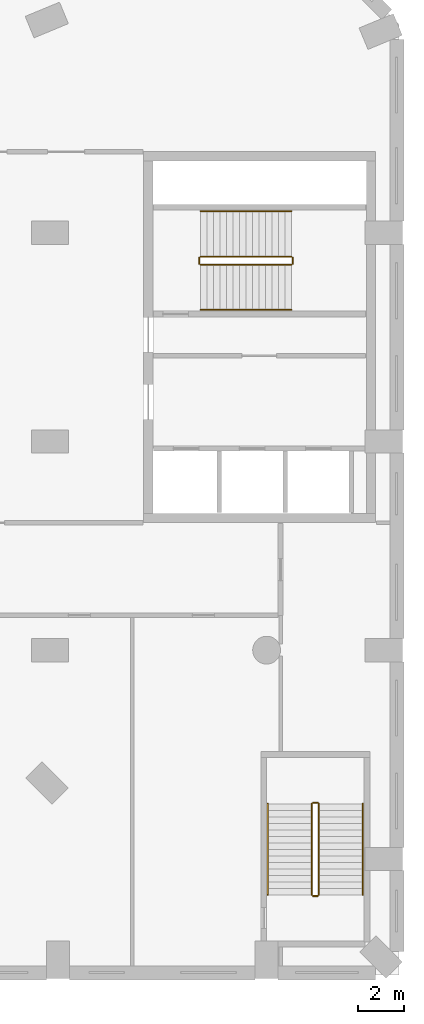
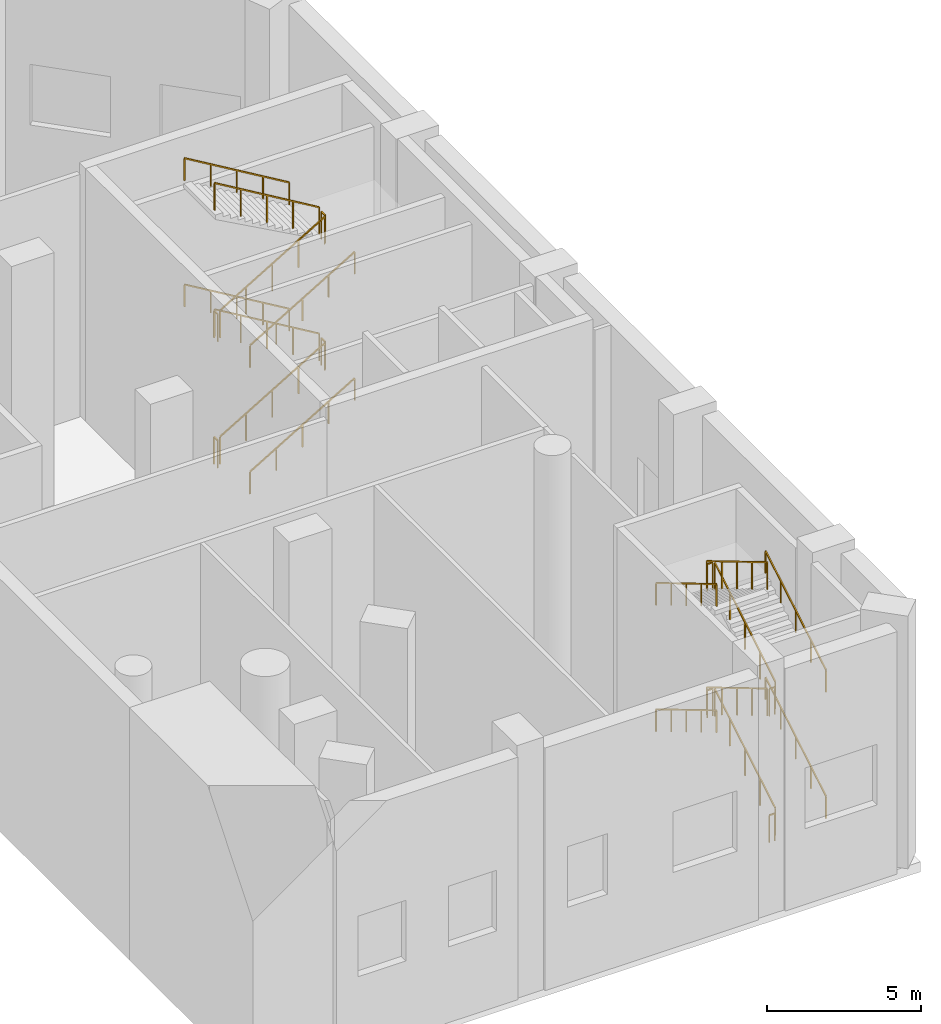
# One storey, part 17 of 17: 24 railings.
"""IFC4 building model written with IfcOpenShell, lengths in metres."""

from ifc_helpers import new_model, si_unit, direction, frame, origin, origin_2d, place, context, subcontext, project, spatial, rectangle, extrude, material, type_object, element, save


model = new_model("IFC4")

# Units and contexts
model_context = context("Model", 3, precision=1e-05, world=origin(), true_north=direction((0.0, 1.0)))
body_context = subcontext(model_context, "Body", "Model", "MODEL_VIEW")
ifc_project = project(units=[si_unit("LENGTHUNIT", "METRE"), si_unit("AREAUNIT", "SQUARE_METRE"), si_unit("VOLUMEUNIT", "CUBIC_METRE"), si_unit("PLANEANGLEUNIT", "RADIAN"), si_unit("MASSUNIT", "GRAM", prefix="KILO")], contexts=[model_context])

# Site, building, storey
site_placement = place(None, origin())
site = spatial("IfcSite", under=ifc_project, at=site_placement, CompositionType="ELEMENT")
building_placement = place(site_placement, origin())
building = spatial("IfcBuilding", under=site, at=building_placement, Name="Cypress Arch Tower", CompositionType="ELEMENT")
storey_placement = place(building_placement, frame((0.0, 0.0, 19.0)))
storey = spatial("IfcBuildingStorey", under=building, at=storey_placement, Name="L02", CompositionType="ELEMENT", Elevation=19.0)

# Railings
ifc_material_1 = material(Name="Black powder-coated steel square bar 48 mm", Category="steel")
railing_type_1 = type_object("IfcRailingType", Name="Stair handrail HR1", PredefinedType="HANDRAIL", material=ifc_material_1)
railing_1_placement = place(storey_placement, frame((30.449951171875, 1.175048828125, 0.166748046875)))
element("IfcRailing", 1, at=railing_1_placement, inside=storey, type_object=railing_type_1, Name="L02 P3 stair handrail 1", PredefinedType="HANDRAIL", context=body_context, shape_type="SweptSolid", body=[
    extrude(rectangle(XDim=0.048095703125, YDim=0.048095703125, at=origin_2d()), frame((0.0, 0.0, 0.8759765625), z_axis=(0.859310244771, 0.0, 0.511454693235), x_axis=(0.0, 1.0, 0.0)), (0.0, 0.0, 1.0), 4.56201171875),
    extrude(rectangle(XDim=0.0419921875, YDim=0.0419921875, at=origin_2d()), origin(), (0.0, 0.0, 1.0), 0.851806640625),
    extrude(rectangle(XDim=0.0419921875, YDim=0.0419921875, at=origin_2d()), frame((0.97998046875, 0.0, 0.583251953125)), (0.0, 0.0, 1.0), 0.851806640625),
    extrude(rectangle(XDim=0.0419921875, YDim=0.0419921875, at=origin_2d()), frame((1.9599609375, 0.0, 1.16650390625)), (0.0, 0.0, 1.0), 0.851806640625),
    extrude(rectangle(XDim=0.0419921875, YDim=0.0419921875, at=origin_2d()), frame((2.940185546875, 0.0, 1.75)), (0.0, 0.0, 1.0), 0.851806640625),
    extrude(rectangle(XDim=0.0419921875, YDim=0.0419921875, at=origin_2d()), frame((3.920166015625, 0.0, 2.333251953125)), (0.0, 0.0, 1.0), 0.851806640625),
])
railing_2_placement = place(storey_placement, frame((34.3701171875, 5.425048828125, 2.666748046875)))
element("IfcRailing", 2, at=railing_2_placement, inside=storey, type_object=railing_type_1, Name="L02 P3 stair handrail 2", PredefinedType="HANDRAIL", context=body_context, shape_type="SweptSolid", body=[
    extrude(rectangle(XDim=0.048095703125, YDim=0.048095703125, at=origin_2d()), frame((0.0, 0.0, 0.8759765625), z_axis=(-0.859310244771, 0.0, 0.511454693235), x_axis=(0.0, -1.0, 0.0)), (0.0, 0.0, 1.0), 4.56201171875),
    extrude(rectangle(XDim=0.0419921875, YDim=0.0419921875, at=origin_2d()), origin(), (0.0, 0.0, 1.0), 0.851806640625),
    extrude(rectangle(XDim=0.0419921875, YDim=0.0419921875, at=origin_2d()), frame((-0.97998046875, 0.0, 0.583251953125)), (0.0, 0.0, 1.0), 0.851806640625),
    extrude(rectangle(XDim=0.0419921875, YDim=0.0419921875, at=origin_2d()), frame((-1.9599609375, 0.0, 1.16650390625)), (0.0, 0.0, 1.0), 0.851806640625),
    extrude(rectangle(XDim=0.0419921875, YDim=0.0419921875, at=origin_2d()), frame((-2.940185546875, 0.0, 1.75)), (0.0, 0.0, 1.0), 0.851806640625),
    extrude(rectangle(XDim=0.0419921875, YDim=0.0419921875, at=origin_2d()), frame((-3.920166015625, 0.0, 2.333251953125)), (0.0, 0.0, 1.0), 0.851806640625),
])
railing_3_placement = place(storey_placement, frame((30.449951171875, 1.175048828125, 5.166748046875)))
element("IfcRailing", 3, at=railing_3_placement, inside=storey, type_object=railing_type_1, Name="L02 P3 stair handrail 3", PredefinedType="HANDRAIL", context=body_context, shape_type="SweptSolid", body=[
    extrude(rectangle(XDim=0.048095703125, YDim=0.048095703125, at=origin_2d()), frame((0.0, 0.0, 0.8759765625), z_axis=(0.859310244771, 0.0, 0.511454693235), x_axis=(0.0, 1.0, 0.0)), (0.0, 0.0, 1.0), 4.56201171875),
    extrude(rectangle(XDim=0.0419921875, YDim=0.0419921875, at=origin_2d()), origin(), (0.0, 0.0, 1.0), 0.851806640625),
    extrude(rectangle(XDim=0.0419921875, YDim=0.0419921875, at=origin_2d()), frame((0.97998046875, 0.0, 0.583251953125)), (0.0, 0.0, 1.0), 0.851806640625),
    extrude(rectangle(XDim=0.0419921875, YDim=0.0419921875, at=origin_2d()), frame((1.9599609375, 0.0, 1.16650390625)), (0.0, 0.0, 1.0), 0.851806640625),
    extrude(rectangle(XDim=0.0419921875, YDim=0.0419921875, at=origin_2d()), frame((2.940185546875, 0.0, 1.75)), (0.0, 0.0, 1.0), 0.851806640625),
    extrude(rectangle(XDim=0.0419921875, YDim=0.0419921875, at=origin_2d()), frame((3.920166015625, 0.0, 2.333251953125)), (0.0, 0.0, 1.0), 0.851806640625),
])
railing_4_placement = place(storey_placement, frame((34.3701171875, 5.425048828125, 7.666748046875)))
element("IfcRailing", 4, at=railing_4_placement, inside=storey, type_object=railing_type_1, Name="L02 P3 stair handrail 4", PredefinedType="HANDRAIL", context=body_context, shape_type="SweptSolid", body=[
    extrude(rectangle(XDim=0.048095703125, YDim=0.048095703125, at=origin_2d()), frame((0.0, 0.0, 0.8759765625), z_axis=(-0.859310244771, 0.0, 0.511454693235), x_axis=(0.0, -1.0, 0.0)), (0.0, 0.0, 1.0), 4.56201171875),
    extrude(rectangle(XDim=0.0419921875, YDim=0.0419921875, at=origin_2d()), origin(), (0.0, 0.0, 1.0), 0.851806640625),
    extrude(rectangle(XDim=0.0419921875, YDim=0.0419921875, at=origin_2d()), frame((-0.97998046875, 0.0, 0.583251953125)), (0.0, 0.0, 1.0), 0.851806640625),
    extrude(rectangle(XDim=0.0419921875, YDim=0.0419921875, at=origin_2d()), frame((-1.9599609375, 0.0, 1.16650390625)), (0.0, 0.0, 1.0), 0.851806640625),
    extrude(rectangle(XDim=0.0419921875, YDim=0.0419921875, at=origin_2d()), frame((-2.940185546875, 0.0, 1.75)), (0.0, 0.0, 1.0), 0.851806640625),
    extrude(rectangle(XDim=0.0419921875, YDim=0.0419921875, at=origin_2d()), frame((-3.920166015625, 0.0, 2.333251953125)), (0.0, 0.0, 1.0), 0.851806640625),
])
railing_5_placement = place(storey_placement, frame((37.449951171875, -24.050048828125, 0.166748046875)))
element("IfcRailing", 5, at=railing_5_placement, inside=storey, type_object=railing_type_1, Name="L02 P4 stair handrail 1", PredefinedType="HANDRAIL", context=body_context, shape_type="SweptSolid", body=[
    extrude(rectangle(XDim=0.048095703125, YDim=0.048095703125, at=origin_2d()), frame((0.0, 0.0, 0.8759765625), z_axis=(0.0, 0.859310244771, 0.511454693235), x_axis=(-1.0, 0.0, 0.0)), (0.0, 0.0, 1.0), 4.56201171875),
    extrude(rectangle(XDim=0.0419921875, YDim=0.0419921875, at=origin_2d()), origin(), (0.0, 0.0, 1.0), 0.851806640625),
    extrude(rectangle(XDim=0.0419921875, YDim=0.0419921875, at=origin_2d()), frame((0.0, 0.97998046875, 0.583251953125)), (0.0, 0.0, 1.0), 0.851806640625),
    extrude(rectangle(XDim=0.0419921875, YDim=0.0419921875, at=origin_2d()), frame((0.0, 1.9599609375, 1.16650390625)), (0.0, 0.0, 1.0), 0.851806640625),
    extrude(rectangle(XDim=0.0419921875, YDim=0.0419921875, at=origin_2d()), frame((0.0, 2.940185546875, 1.75)), (0.0, 0.0, 1.0), 0.851806640625),
    extrude(rectangle(XDim=0.0419921875, YDim=0.0419921875, at=origin_2d()), frame((0.0, 3.920166015625, 2.333251953125)), (0.0, 0.0, 1.0), 0.851806640625),
])
railing_6_placement = place(storey_placement, frame((33.35009765625, -20.1298828125, 2.666748046875)))
element("IfcRailing", 6, at=railing_6_placement, inside=storey, type_object=railing_type_1, Name="L02 P4 stair handrail 2", PredefinedType="HANDRAIL", context=body_context, shape_type="SweptSolid", body=[
    extrude(rectangle(XDim=0.048095703125, YDim=0.048095703125, at=origin_2d()), frame((0.0, 0.0, 0.8759765625), z_axis=(0.0, -0.859310244771, 0.511454693235), x_axis=(1.0, 0.0, 0.0)), (0.0, 0.0, 1.0), 4.56201171875),
    extrude(rectangle(XDim=0.0419921875, YDim=0.0419921875, at=origin_2d()), origin(), (0.0, 0.0, 1.0), 0.851806640625),
    extrude(rectangle(XDim=0.0419921875, YDim=0.0419921875, at=origin_2d()), frame((0.0, -0.97998046875, 0.583251953125)), (0.0, 0.0, 1.0), 0.851806640625),
    extrude(rectangle(XDim=0.0419921875, YDim=0.0419921875, at=origin_2d()), frame((0.0, -1.9599609375, 1.16650390625)), (0.0, 0.0, 1.0), 0.851806640625),
    extrude(rectangle(XDim=0.0419921875, YDim=0.0419921875, at=origin_2d()), frame((0.0, -2.940185546875, 1.75)), (0.0, 0.0, 1.0), 0.851806640625),
    extrude(rectangle(XDim=0.0419921875, YDim=0.0419921875, at=origin_2d()), frame((0.0, -3.920166015625, 2.333251953125)), (0.0, 0.0, 1.0), 0.851806640625),
])
railing_7_placement = place(storey_placement, frame((37.449951171875, -24.050048828125, 5.166748046875)))
element("IfcRailing", 7, at=railing_7_placement, inside=storey, type_object=railing_type_1, Name="L02 P4 stair handrail 3", PredefinedType="HANDRAIL", context=body_context, shape_type="SweptSolid", body=[
    extrude(rectangle(XDim=0.048095703125, YDim=0.048095703125, at=origin_2d()), frame((0.0, 0.0, 0.8759765625), z_axis=(0.0, 0.859310244771, 0.511454693235), x_axis=(-1.0, 0.0, 0.0)), (0.0, 0.0, 1.0), 4.56201171875),
    extrude(rectangle(XDim=0.0419921875, YDim=0.0419921875, at=origin_2d()), origin(), (0.0, 0.0, 1.0), 0.851806640625),
    extrude(rectangle(XDim=0.0419921875, YDim=0.0419921875, at=origin_2d()), frame((0.0, 0.97998046875, 0.583251953125)), (0.0, 0.0, 1.0), 0.851806640625),
    extrude(rectangle(XDim=0.0419921875, YDim=0.0419921875, at=origin_2d()), frame((0.0, 1.9599609375, 1.16650390625)), (0.0, 0.0, 1.0), 0.851806640625),
    extrude(rectangle(XDim=0.0419921875, YDim=0.0419921875, at=origin_2d()), frame((0.0, 2.940185546875, 1.75)), (0.0, 0.0, 1.0), 0.851806640625),
    extrude(rectangle(XDim=0.0419921875, YDim=0.0419921875, at=origin_2d()), frame((0.0, 3.920166015625, 2.333251953125)), (0.0, 0.0, 1.0), 0.851806640625),
])
railing_8_placement = place(storey_placement, frame((33.35009765625, -20.1298828125, 7.666748046875)))
element("IfcRailing", 8, at=railing_8_placement, inside=storey, type_object=railing_type_1, Name="L02 P4 stair handrail 4", PredefinedType="HANDRAIL", context=body_context, shape_type="SweptSolid", body=[
    extrude(rectangle(XDim=0.048095703125, YDim=0.048095703125, at=origin_2d()), frame((0.0, 0.0, 0.8759765625), z_axis=(0.0, -0.859310244771, 0.511454693235), x_axis=(1.0, 0.0, 0.0)), (0.0, 0.0, 1.0), 4.56201171875),
    extrude(rectangle(XDim=0.0419921875, YDim=0.0419921875, at=origin_2d()), origin(), (0.0, 0.0, 1.0), 0.851806640625),
    extrude(rectangle(XDim=0.0419921875, YDim=0.0419921875, at=origin_2d()), frame((0.0, -0.97998046875, 0.583251953125)), (0.0, 0.0, 1.0), 0.851806640625),
    extrude(rectangle(XDim=0.0419921875, YDim=0.0419921875, at=origin_2d()), frame((0.0, -1.9599609375, 1.16650390625)), (0.0, 0.0, 1.0), 0.851806640625),
    extrude(rectangle(XDim=0.0419921875, YDim=0.0419921875, at=origin_2d()), frame((0.0, -2.940185546875, 1.75)), (0.0, 0.0, 1.0), 0.851806640625),
    extrude(rectangle(XDim=0.0419921875, YDim=0.0419921875, at=origin_2d()), frame((0.0, -3.920166015625, 2.333251953125)), (0.0, 0.0, 1.0), 0.851806640625),
])
ifc_material_2 = material(Name="Black powder-coated steel balusters", Category="steel")
railing_type_2 = type_object("IfcRailingType", Name="Stair well guard G1", PredefinedType="GUARDRAIL", material=ifc_material_2)
railing_9_placement = place(storey_placement, frame((30.449951171875, 3.125, 0.166748046875)))
element("IfcRailing", 9, at=railing_9_placement, inside=storey, type_object=railing_type_2, Name="L02 P3 stair guard 1", PredefinedType="GUARDRAIL", context=body_context, shape_type="SweptSolid", body=[
    extrude(rectangle(XDim=0.048095703125, YDim=0.048095703125, at=origin_2d()), frame((0.0, 0.0, 1.076171875), z_axis=(0.859310244771, 0.0, 0.511454693235), x_axis=(0.0, 1.0, 0.0)), (0.0, 0.0, 1.0), 4.56201171875),
    extrude(rectangle(XDim=0.0419921875, YDim=0.0419921875, at=origin_2d()), origin(), (0.0, 0.0, 1.0), 1.052001953125),
    extrude(rectangle(XDim=0.0419921875, YDim=0.0419921875, at=origin_2d()), frame((0.97998046875, 0.0, 0.583251953125)), (0.0, 0.0, 1.0), 1.052001953125),
    extrude(rectangle(XDim=0.0419921875, YDim=0.0419921875, at=origin_2d()), frame((1.9599609375, 0.0, 1.16650390625)), (0.0, 0.0, 1.0), 1.052001953125),
    extrude(rectangle(XDim=0.0419921875, YDim=0.0419921875, at=origin_2d()), frame((2.940185546875, 0.0, 1.75)), (0.0, 0.0, 1.0), 1.052001953125),
    extrude(rectangle(XDim=0.0419921875, YDim=0.0419921875, at=origin_2d()), frame((3.920166015625, 0.0, 2.333251953125)), (0.0, 0.0, 1.0), 1.052001953125),
])
railing_10_placement = place(storey_placement, frame((34.419921875, 3.175048828125, 2.5)))
element("IfcRailing", 10, at=railing_10_placement, inside=storey, type_object=railing_type_2, Name="L02 P3 stair guard 2", PredefinedType="GUARDRAIL", context=body_context, shape_type="SweptSolid", body=[
    extrude(rectangle(XDim=0.048095703125, YDim=0.048095703125, at=origin_2d()), frame((0.0, 0.0, 1.076171875), z_axis=(0.0, 1.0, 0.0), x_axis=(-1.0, 0.0, 0.0)), (0.0, 0.0, 1.0), 0.25),
    extrude(rectangle(XDim=0.0419921875, YDim=0.0419921875, at=origin_2d()), origin(), (0.0, 0.0, 1.0), 1.052001953125),
    extrude(rectangle(XDim=0.0419921875, YDim=0.0419921875, at=origin_2d()), frame((0.0, 0.25, 0.0)), (0.0, 0.0, 1.0), 1.052001953125),
])
railing_11_placement = place(storey_placement, frame((34.3701171875, 3.47509765625, 2.666748046875)))
element("IfcRailing", 11, at=railing_11_placement, inside=storey, type_object=railing_type_2, Name="L02 P3 stair guard 3", PredefinedType="GUARDRAIL", context=body_context, shape_type="SweptSolid", body=[
    extrude(rectangle(XDim=0.048095703125, YDim=0.048095703125, at=origin_2d()), frame((0.0, 0.0, 1.076171875), z_axis=(-0.859310244771, 0.0, 0.511454693235), x_axis=(0.0, -1.0, 0.0)), (0.0, 0.0, 1.0), 4.56201171875),
    extrude(rectangle(XDim=0.0419921875, YDim=0.0419921875, at=origin_2d()), origin(), (0.0, 0.0, 1.0), 1.052001953125),
    extrude(rectangle(XDim=0.0419921875, YDim=0.0419921875, at=origin_2d()), frame((-0.97998046875, 0.0, 0.583251953125)), (0.0, 0.0, 1.0), 1.052001953125),
    extrude(rectangle(XDim=0.0419921875, YDim=0.0419921875, at=origin_2d()), frame((-1.9599609375, 0.0, 1.16650390625)), (0.0, 0.0, 1.0), 1.052001953125),
    extrude(rectangle(XDim=0.0419921875, YDim=0.0419921875, at=origin_2d()), frame((-2.940185546875, 0.0, 1.75)), (0.0, 0.0, 1.0), 1.052001953125),
    extrude(rectangle(XDim=0.0419921875, YDim=0.0419921875, at=origin_2d()), frame((-3.920166015625, 0.0, 2.333251953125)), (0.0, 0.0, 1.0), 1.052001953125),
])
railing_12_placement = place(storey_placement, frame((30.39990234375, 3.175048828125, 5.0)))
element("IfcRailing", 12, at=railing_12_placement, inside=storey, type_object=railing_type_2, Name="L02 P3 stair guard 4", PredefinedType="GUARDRAIL", context=body_context, shape_type="SweptSolid", body=[
    extrude(rectangle(XDim=0.048095703125, YDim=0.048095703125, at=origin_2d()), frame((0.0, 0.0, 1.076171875), z_axis=(0.0, 1.0, 0.0), x_axis=(-1.0, 0.0, 0.0)), (0.0, 0.0, 1.0), 0.25),
    extrude(rectangle(XDim=0.0419921875, YDim=0.0419921875, at=origin_2d()), origin(), (0.0, 0.0, 1.0), 1.052001953125),
    extrude(rectangle(XDim=0.0419921875, YDim=0.0419921875, at=origin_2d()), frame((0.0, 0.25, 0.0)), (0.0, 0.0, 1.0), 1.052001953125),
])
railing_13_placement = place(storey_placement, frame((30.449951171875, 3.125, 5.166748046875)))
element("IfcRailing", 13, at=railing_13_placement, inside=storey, type_object=railing_type_2, Name="L02 P3 stair guard 5", PredefinedType="GUARDRAIL", context=body_context, shape_type="SweptSolid", body=[
    extrude(rectangle(XDim=0.048095703125, YDim=0.048095703125, at=origin_2d()), frame((0.0, 0.0, 1.076171875), z_axis=(0.859310244771, 0.0, 0.511454693235), x_axis=(0.0, 1.0, 0.0)), (0.0, 0.0, 1.0), 4.56201171875),
    extrude(rectangle(XDim=0.0419921875, YDim=0.0419921875, at=origin_2d()), origin(), (0.0, 0.0, 1.0), 1.052001953125),
    extrude(rectangle(XDim=0.0419921875, YDim=0.0419921875, at=origin_2d()), frame((0.97998046875, 0.0, 0.583251953125)), (0.0, 0.0, 1.0), 1.052001953125),
    extrude(rectangle(XDim=0.0419921875, YDim=0.0419921875, at=origin_2d()), frame((1.9599609375, 0.0, 1.16650390625)), (0.0, 0.0, 1.0), 1.052001953125),
    extrude(rectangle(XDim=0.0419921875, YDim=0.0419921875, at=origin_2d()), frame((2.940185546875, 0.0, 1.75)), (0.0, 0.0, 1.0), 1.052001953125),
    extrude(rectangle(XDim=0.0419921875, YDim=0.0419921875, at=origin_2d()), frame((3.920166015625, 0.0, 2.333251953125)), (0.0, 0.0, 1.0), 1.052001953125),
])
railing_14_placement = place(storey_placement, frame((34.419921875, 3.175048828125, 7.5)))
element("IfcRailing", 14, at=railing_14_placement, inside=storey, type_object=railing_type_2, Name="L02 P3 stair guard 6", PredefinedType="GUARDRAIL", context=body_context, shape_type="SweptSolid", body=[
    extrude(rectangle(XDim=0.048095703125, YDim=0.048095703125, at=origin_2d()), frame((0.0, 0.0, 1.076171875), z_axis=(0.0, 1.0, 0.0), x_axis=(-1.0, 0.0, 0.0)), (0.0, 0.0, 1.0), 0.25),
    extrude(rectangle(XDim=0.0419921875, YDim=0.0419921875, at=origin_2d()), origin(), (0.0, 0.0, 1.0), 1.052001953125),
    extrude(rectangle(XDim=0.0419921875, YDim=0.0419921875, at=origin_2d()), frame((0.0, 0.25, 0.0)), (0.0, 0.0, 1.0), 1.052001953125),
])
railing_15_placement = place(storey_placement, frame((34.3701171875, 3.47509765625, 7.666748046875)))
element("IfcRailing", 15, at=railing_15_placement, inside=storey, type_object=railing_type_2, Name="L02 P3 stair guard 7", PredefinedType="GUARDRAIL", context=body_context, shape_type="SweptSolid", body=[
    extrude(rectangle(XDim=0.048095703125, YDim=0.048095703125, at=origin_2d()), frame((0.0, 0.0, 1.076171875), z_axis=(-0.859310244771, 0.0, 0.511454693235), x_axis=(0.0, -1.0, 0.0)), (0.0, 0.0, 1.0), 4.56201171875),
    extrude(rectangle(XDim=0.0419921875, YDim=0.0419921875, at=origin_2d()), origin(), (0.0, 0.0, 1.0), 1.052001953125),
    extrude(rectangle(XDim=0.0419921875, YDim=0.0419921875, at=origin_2d()), frame((-0.97998046875, 0.0, 0.583251953125)), (0.0, 0.0, 1.0), 1.052001953125),
    extrude(rectangle(XDim=0.0419921875, YDim=0.0419921875, at=origin_2d()), frame((-1.9599609375, 0.0, 1.16650390625)), (0.0, 0.0, 1.0), 1.052001953125),
    extrude(rectangle(XDim=0.0419921875, YDim=0.0419921875, at=origin_2d()), frame((-2.940185546875, 0.0, 1.75)), (0.0, 0.0, 1.0), 1.052001953125),
    extrude(rectangle(XDim=0.0419921875, YDim=0.0419921875, at=origin_2d()), frame((-3.920166015625, 0.0, 2.333251953125)), (0.0, 0.0, 1.0), 1.052001953125),
])
railing_16_placement = place(storey_placement, frame((30.39990234375, 3.175048828125, 0.0)))
element("IfcRailing", 16, at=railing_16_placement, inside=storey, type_object=railing_type_2, Name="L02 P3 stair guard 8", PredefinedType="GUARDRAIL", context=body_context, shape_type="SweptSolid", body=[
    extrude(rectangle(XDim=0.048095703125, YDim=0.048095703125, at=origin_2d()), frame((0.0, 0.0, 1.076171875), z_axis=(0.0, 1.0, 0.0), x_axis=(-1.0, 0.0, 0.0)), (0.0, 0.0, 1.0), 0.25),
    extrude(rectangle(XDim=0.0419921875, YDim=0.0419921875, at=origin_2d()), origin(), (0.0, 0.0, 1.0), 1.052001953125),
    extrude(rectangle(XDim=0.0419921875, YDim=0.0419921875, at=origin_2d()), frame((0.0, 0.25, 0.0)), (0.0, 0.0, 1.0), 1.052001953125),
])
railing_17_placement = place(storey_placement, frame((35.550048828125, -24.050048828125, 0.166748046875)))
element("IfcRailing", 17, at=railing_17_placement, inside=storey, type_object=railing_type_2, Name="L02 P4 stair guard 1", PredefinedType="GUARDRAIL", context=body_context, shape_type="SweptSolid", body=[
    extrude(rectangle(XDim=0.048095703125, YDim=0.048095703125, at=origin_2d()), frame((0.0, 0.0, 1.076171875), z_axis=(0.0, 0.859310244771, 0.511454693235), x_axis=(-1.0, 0.0, 0.0)), (0.0, 0.0, 1.0), 4.56201171875),
    extrude(rectangle(XDim=0.0419921875, YDim=0.0419921875, at=origin_2d()), origin(), (0.0, 0.0, 1.0), 1.052001953125),
    extrude(rectangle(XDim=0.0419921875, YDim=0.0419921875, at=origin_2d()), frame((0.0, 0.97998046875, 0.583251953125)), (0.0, 0.0, 1.0), 1.052001953125),
    extrude(rectangle(XDim=0.0419921875, YDim=0.0419921875, at=origin_2d()), frame((0.0, 1.9599609375, 1.16650390625)), (0.0, 0.0, 1.0), 1.052001953125),
    extrude(rectangle(XDim=0.0419921875, YDim=0.0419921875, at=origin_2d()), frame((0.0, 2.940185546875, 1.75)), (0.0, 0.0, 1.0), 1.052001953125),
    extrude(rectangle(XDim=0.0419921875, YDim=0.0419921875, at=origin_2d()), frame((0.0, 3.920166015625, 2.333251953125)), (0.0, 0.0, 1.0), 1.052001953125),
])
railing_18_placement = place(storey_placement, frame((35.5, -20.080078125, 2.5)))
element("IfcRailing", 18, at=railing_18_placement, inside=storey, type_object=railing_type_2, Name="L02 P4 stair guard 2", PredefinedType="GUARDRAIL", context=body_context, shape_type="SweptSolid", body=[
    extrude(rectangle(XDim=0.048095703125, YDim=0.048095703125, at=origin_2d()), frame((0.0, 0.0, 1.076171875), z_axis=(-1.0, 0.0, 0.0), x_axis=(0.0, -1.0, 0.0)), (0.0, 0.0, 1.0), 0.199951171875),
    extrude(rectangle(XDim=0.0419921875, YDim=0.0419921875, at=origin_2d()), origin(), (0.0, 0.0, 1.0), 1.052001953125),
    extrude(rectangle(XDim=0.0419921875, YDim=0.0419921875, at=origin_2d()), frame((-0.199951171875, 0.0, 0.0)), (0.0, 0.0, 1.0), 1.052001953125),
])
railing_19_placement = place(storey_placement, frame((35.25, -20.1298828125, 2.666748046875)))
element("IfcRailing", 19, at=railing_19_placement, inside=storey, type_object=railing_type_2, Name="L02 P4 stair guard 3", PredefinedType="GUARDRAIL", context=body_context, shape_type="SweptSolid", body=[
    extrude(rectangle(XDim=0.048095703125, YDim=0.048095703125, at=origin_2d()), frame((0.0, 0.0, 1.076171875), z_axis=(0.0, -0.859310244771, 0.511454693235), x_axis=(1.0, 0.0, 0.0)), (0.0, 0.0, 1.0), 4.56201171875),
    extrude(rectangle(XDim=0.0419921875, YDim=0.0419921875, at=origin_2d()), origin(), (0.0, 0.0, 1.0), 1.052001953125),
    extrude(rectangle(XDim=0.0419921875, YDim=0.0419921875, at=origin_2d()), frame((0.0, -0.97998046875, 0.583251953125)), (0.0, 0.0, 1.0), 1.052001953125),
    extrude(rectangle(XDim=0.0419921875, YDim=0.0419921875, at=origin_2d()), frame((0.0, -1.9599609375, 1.16650390625)), (0.0, 0.0, 1.0), 1.052001953125),
    extrude(rectangle(XDim=0.0419921875, YDim=0.0419921875, at=origin_2d()), frame((0.0, -2.940185546875, 1.75)), (0.0, 0.0, 1.0), 1.052001953125),
    extrude(rectangle(XDim=0.0419921875, YDim=0.0419921875, at=origin_2d()), frame((0.0, -3.920166015625, 2.333251953125)), (0.0, 0.0, 1.0), 1.052001953125),
])
railing_20_placement = place(storey_placement, frame((35.5, -24.10009765625, 5.0)))
element("IfcRailing", 20, at=railing_20_placement, inside=storey, type_object=railing_type_2, Name="L02 P4 stair guard 4", PredefinedType="GUARDRAIL", context=body_context, shape_type="SweptSolid", body=[
    extrude(rectangle(XDim=0.048095703125, YDim=0.048095703125, at=origin_2d()), frame((0.0, 0.0, 1.076171875), z_axis=(-1.0, 0.0, 0.0), x_axis=(0.0, -1.0, 0.0)), (0.0, 0.0, 1.0), 0.199951171875),
    extrude(rectangle(XDim=0.0419921875, YDim=0.0419921875, at=origin_2d()), origin(), (0.0, 0.0, 1.0), 1.052001953125),
    extrude(rectangle(XDim=0.0419921875, YDim=0.0419921875, at=origin_2d()), frame((-0.199951171875, 0.0, 0.0)), (0.0, 0.0, 1.0), 1.052001953125),
])
railing_21_placement = place(storey_placement, frame((35.550048828125, -24.050048828125, 5.166748046875)))
element("IfcRailing", 21, at=railing_21_placement, inside=storey, type_object=railing_type_2, Name="L02 P4 stair guard 5", PredefinedType="GUARDRAIL", context=body_context, shape_type="SweptSolid", body=[
    extrude(rectangle(XDim=0.048095703125, YDim=0.048095703125, at=origin_2d()), frame((0.0, 0.0, 1.076171875), z_axis=(0.0, 0.859310244771, 0.511454693235), x_axis=(-1.0, 0.0, 0.0)), (0.0, 0.0, 1.0), 4.56201171875),
    extrude(rectangle(XDim=0.0419921875, YDim=0.0419921875, at=origin_2d()), origin(), (0.0, 0.0, 1.0), 1.052001953125),
    extrude(rectangle(XDim=0.0419921875, YDim=0.0419921875, at=origin_2d()), frame((0.0, 0.97998046875, 0.583251953125)), (0.0, 0.0, 1.0), 1.052001953125),
    extrude(rectangle(XDim=0.0419921875, YDim=0.0419921875, at=origin_2d()), frame((0.0, 1.9599609375, 1.16650390625)), (0.0, 0.0, 1.0), 1.052001953125),
    extrude(rectangle(XDim=0.0419921875, YDim=0.0419921875, at=origin_2d()), frame((0.0, 2.940185546875, 1.75)), (0.0, 0.0, 1.0), 1.052001953125),
    extrude(rectangle(XDim=0.0419921875, YDim=0.0419921875, at=origin_2d()), frame((0.0, 3.920166015625, 2.333251953125)), (0.0, 0.0, 1.0), 1.052001953125),
])
railing_22_placement = place(storey_placement, frame((35.5, -20.080078125, 7.5)))
element("IfcRailing", 22, at=railing_22_placement, inside=storey, type_object=railing_type_2, Name="L02 P4 stair guard 6", PredefinedType="GUARDRAIL", context=body_context, shape_type="SweptSolid", body=[
    extrude(rectangle(XDim=0.048095703125, YDim=0.048095703125, at=origin_2d()), frame((0.0, 0.0, 1.076171875), z_axis=(-1.0, 0.0, 0.0), x_axis=(0.0, -1.0, 0.0)), (0.0, 0.0, 1.0), 0.199951171875),
    extrude(rectangle(XDim=0.0419921875, YDim=0.0419921875, at=origin_2d()), origin(), (0.0, 0.0, 1.0), 1.052001953125),
    extrude(rectangle(XDim=0.0419921875, YDim=0.0419921875, at=origin_2d()), frame((-0.199951171875, 0.0, 0.0)), (0.0, 0.0, 1.0), 1.052001953125),
])
railing_23_placement = place(storey_placement, frame((35.25, -20.1298828125, 7.666748046875)))
element("IfcRailing", 23, at=railing_23_placement, inside=storey, type_object=railing_type_2, Name="L02 P4 stair guard 7", PredefinedType="GUARDRAIL", context=body_context, shape_type="SweptSolid", body=[
    extrude(rectangle(XDim=0.048095703125, YDim=0.048095703125, at=origin_2d()), frame((0.0, 0.0, 1.076171875), z_axis=(0.0, -0.859310244771, 0.511454693235), x_axis=(1.0, 0.0, 0.0)), (0.0, 0.0, 1.0), 4.56201171875),
    extrude(rectangle(XDim=0.0419921875, YDim=0.0419921875, at=origin_2d()), origin(), (0.0, 0.0, 1.0), 1.052001953125),
    extrude(rectangle(XDim=0.0419921875, YDim=0.0419921875, at=origin_2d()), frame((0.0, -0.97998046875, 0.583251953125)), (0.0, 0.0, 1.0), 1.052001953125),
    extrude(rectangle(XDim=0.0419921875, YDim=0.0419921875, at=origin_2d()), frame((0.0, -1.9599609375, 1.16650390625)), (0.0, 0.0, 1.0), 1.052001953125),
    extrude(rectangle(XDim=0.0419921875, YDim=0.0419921875, at=origin_2d()), frame((0.0, -2.940185546875, 1.75)), (0.0, 0.0, 1.0), 1.052001953125),
    extrude(rectangle(XDim=0.0419921875, YDim=0.0419921875, at=origin_2d()), frame((0.0, -3.920166015625, 2.333251953125)), (0.0, 0.0, 1.0), 1.052001953125),
])
railing_24_placement = place(storey_placement, frame((35.5, -24.10009765625, 0.0)))
element("IfcRailing", 24, at=railing_24_placement, inside=storey, type_object=railing_type_2, Name="L02 P4 stair guard 8", PredefinedType="GUARDRAIL", context=body_context, shape_type="SweptSolid", body=[
    extrude(rectangle(XDim=0.048095703125, YDim=0.048095703125, at=origin_2d()), frame((0.0, 0.0, 1.076171875), z_axis=(-1.0, 0.0, 0.0), x_axis=(0.0, -1.0, 0.0)), (0.0, 0.0, 1.0), 0.199951171875),
    extrude(rectangle(XDim=0.0419921875, YDim=0.0419921875, at=origin_2d()), origin(), (0.0, 0.0, 1.0), 1.052001953125),
    extrude(rectangle(XDim=0.0419921875, YDim=0.0419921875, at=origin_2d()), frame((-0.199951171875, 0.0, 0.0)), (0.0, 0.0, 1.0), 1.052001953125),
])

save(model, "model.ifc")
